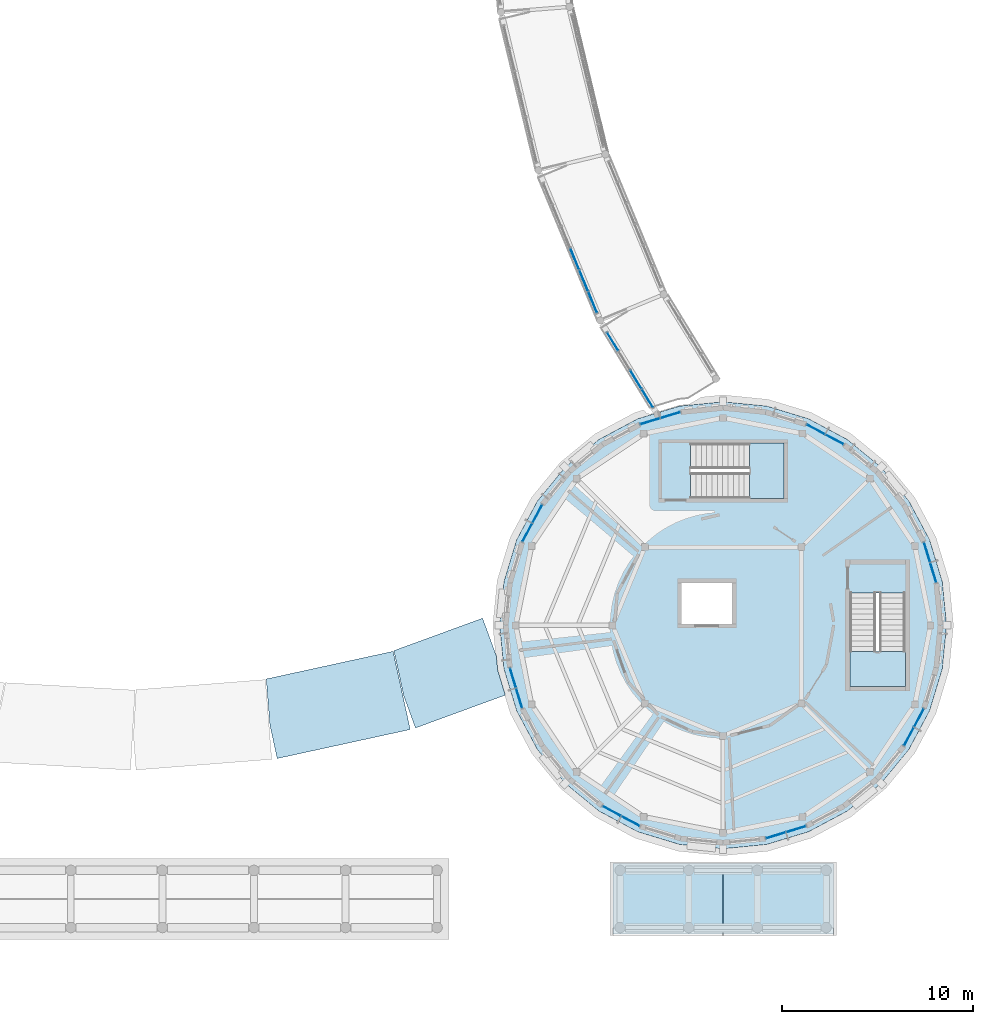
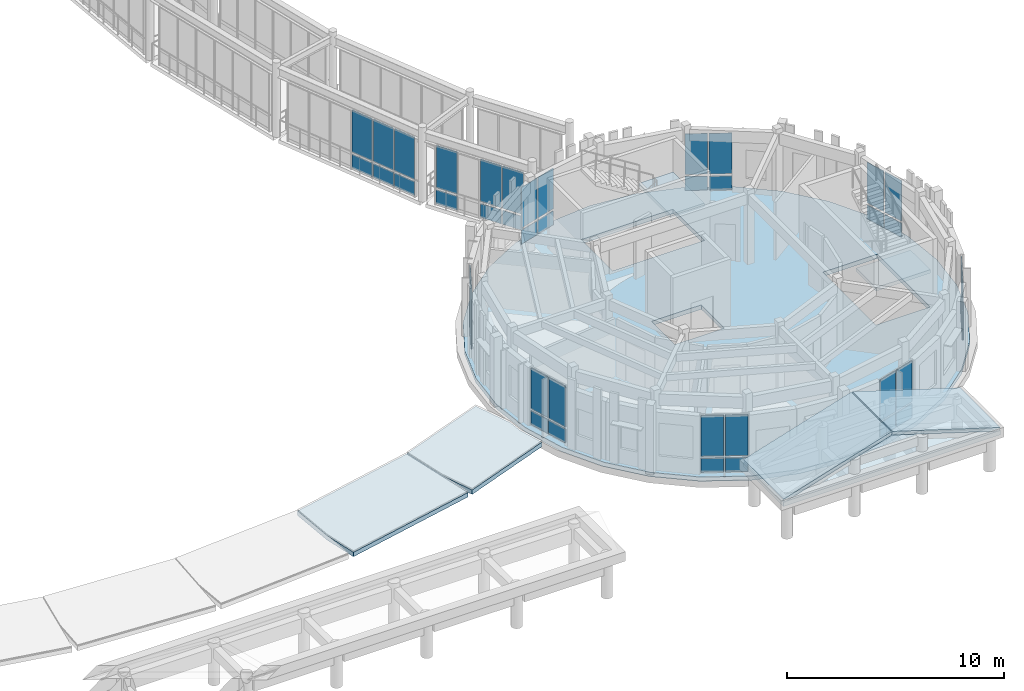
# One storey, part 38 of 80: 44 plates, 8 slabs, 12 elements without a shape of their own.
"""IFC4 building model written with IfcOpenShell, lengths in metres."""

from ifc_helpers import new_model, si_unit, direction, frame, origin, origin_2d, place, context, subcontext, project, spatial, polyline, rectangle, outline, extrude, material, layer, layer_set, type_object, element, aggregate, save


model = new_model("IFC4")

# Units and contexts
model_context = context("Model", 3, precision=1e-05, world=origin(), true_north=direction((0.0, 1.0)))
body_context = subcontext(model_context, "Body", "Model", "MODEL_VIEW")
ifc_project = project(units=[si_unit("LENGTHUNIT", "METRE"), si_unit("AREAUNIT", "SQUARE_METRE"), si_unit("VOLUMEUNIT", "CUBIC_METRE"), si_unit("PLANEANGLEUNIT", "RADIAN"), si_unit("MASSUNIT", "GRAM", prefix="KILO")], contexts=[model_context])

# Site, building, storey
site_placement = place(None, origin())
site = spatial("IfcSite", under=ifc_project, at=site_placement, CompositionType="ELEMENT")
building_placement = place(site_placement, origin())
building = spatial("IfcBuilding", under=site, at=building_placement, Name="Aldenvaro Health Centre", CompositionType="ELEMENT")
storey_placement = place(building_placement, frame((0.0, 0.0, 4.550048828125)))
storey = spatial("IfcBuildingStorey", under=building, at=storey_placement, Name="L01", CompositionType="ELEMENT", Elevation=4.550048828125)

# Curtain wall, plates
ifc_material_1 = material(Name="Anodised Aluminium 6063-T6", Category="aluminium")
ifc_layer_1 = layer(ifc_material_1, 0.195068359375, Name="Anodised Aluminium 6063-T6", Category="aluminium")
ifc_layer_set_1 = layer_set([ifc_layer_1], Name="Anodised Aluminium 6063-T6")
curtain_wall_type_1 = type_object("IfcCurtainWallType", Name="CW-CLN-02", PredefinedType="NOTDEFINED", material=ifc_layer_set_1)
curtain_wall_1_placement = place(storey_placement, origin())
curtain_wall_1 = element("IfcCurtainWall", 1, at=curtain_wall_1_placement, inside=storey, type_object=curtain_wall_type_1, Name="D6 L01 curtain wall bay 03", PredefinedType="NOTDEFINED")
ifc_material_2 = material(Name="Low-E Double Glazing IGU", Category="glass")
ifc_layer_2 = layer(ifc_material_2, 0.028076171875, Name="Low-E Double Glazing IGU", Category="glass")
ifc_layer_set_2 = layer_set([ifc_layer_2], Name="Low-E Double Glazing IGU")
plate_type_1 = type_object("IfcPlateType", Name="CWP-IGU-28", PredefinedType="CURTAIN_PANEL", material=ifc_layer_set_2)
plate_1_placement = place(storey_placement, frame((164.76904296875, 13.64404296875, 0.95947265625), z_axis=(0.0, 0.0, 1.0), x_axis=(-0.471215232797, -0.882018256263, 0.0)))
plate_1 = element("IfcPlate", 2, at=plate_1_placement, type_object=plate_type_1, Name="D6 L01 curtain wall bay 03 vision glazing 1", PredefinedType="CURTAIN_PANEL", context=body_context, shape_type="SweptSolid", body=[
    extrude(rectangle(XDim=1.047119140625, YDim=0.028076171875, at=origin_2d()), origin(), (0.0, 0.0, 1.0), 2.2890625),
])
plate_2_placement = place(storey_placement, frame((164.241943359375, 12.658935546875, 0.95947265625), z_axis=(0.0, 0.0, 1.0), x_axis=(-0.471215232797, -0.882018256263, 0.0)))
plate_2 = element("IfcPlate", 3, at=plate_2_placement, type_object=plate_type_1, Name="D6 L01 curtain wall bay 03 vision glazing 2", PredefinedType="CURTAIN_PANEL", context=body_context, shape_type="SweptSolid", body=[
    extrude(rectangle(XDim=1.047119140625, YDim=0.028076171875, at=origin_2d()), origin(), (0.0, 0.0, 1.0), 2.2890625),
])

curtain_wall_2_placement = place(storey_placement, origin())
curtain_wall_2 = element("IfcCurtainWall", 4, at=curtain_wall_2_placement, inside=storey, type_object=curtain_wall_type_1, Name="D6 L01 curtain wall bay 07", PredefinedType="NOTDEFINED")
plate_3_placement = place(storey_placement, frame((158.327880859375, 7.805908203125, 0.95947265625), z_axis=(0.0, 0.0, 1.0), x_axis=(-0.956922756407, -0.290342622208, 0.0)))
plate_3 = element("IfcPlate", 5, at=plate_3_placement, type_object=plate_type_1, Name="D6 L01 curtain wall bay 07 vision glazing 1", PredefinedType="CURTAIN_PANEL", context=body_context, shape_type="SweptSolid", body=[
    extrude(rectangle(XDim=1.048095703125, YDim=0.028076171875, at=origin_2d()), origin(), (0.0, 0.0, 1.0), 2.2890625),
])
plate_4_placement = place(storey_placement, frame((157.259033203125, 7.48095703125, 0.95947265625), z_axis=(0.0, 0.0, 1.0), x_axis=(-0.956922756407, -0.290342622208, 0.0)))
plate_4 = element("IfcPlate", 6, at=plate_4_placement, type_object=plate_type_1, Name="D6 L01 curtain wall bay 07 vision glazing 2", PredefinedType="CURTAIN_PANEL", context=body_context, shape_type="SweptSolid", body=[
    extrude(rectangle(XDim=1.048095703125, YDim=0.028076171875, at=origin_2d()), origin(), (0.0, 0.0, 1.0), 2.2890625),
])

curtain_wall_3_placement = place(storey_placement, origin())
curtain_wall_3 = element("IfcCurtainWall", 7, at=curtain_wall_3_placement, inside=storey, type_object=curtain_wall_type_1, Name="D6 L01 curtain wall bay 11", PredefinedType="NOTDEFINED")
plate_5_placement = place(storey_placement, frame((149.64404296875, 8.23095703125, 0.95947265625), z_axis=(0.0, 0.0, 1.0), x_axis=(-0.882018256263, 0.471215232797, 0.0)))
plate_5 = element("IfcPlate", 8, at=plate_5_placement, type_object=plate_type_1, Name="D6 L01 curtain wall bay 11 vision glazing 1", PredefinedType="CURTAIN_PANEL", context=body_context, shape_type="SweptSolid", body=[
    extrude(rectangle(XDim=1.047119140625, YDim=0.028076171875, at=origin_2d()), origin(), (0.0, 0.0, 1.0), 2.2890625),
])
plate_6_placement = place(storey_placement, frame((148.658935546875, 8.758056640625, 0.95947265625), z_axis=(0.0, 0.0, 1.0), x_axis=(-0.882018256263, 0.471215232797, 0.0)))
plate_6 = element("IfcPlate", 9, at=plate_6_placement, type_object=plate_type_1, Name="D6 L01 curtain wall bay 11 vision glazing 2", PredefinedType="CURTAIN_PANEL", context=body_context, shape_type="SweptSolid", body=[
    extrude(rectangle(XDim=1.047119140625, YDim=0.028076171875, at=origin_2d()), origin(), (0.0, 0.0, 1.0), 2.2890625),
])

curtain_wall_4_placement = place(storey_placement, origin())
curtain_wall_4 = element("IfcCurtainWall", 10, at=curtain_wall_4_placement, inside=storey, type_object=curtain_wall_type_1, Name="D6 L01 curtain wall bay 15", PredefinedType="NOTDEFINED")
plate_7_placement = place(storey_placement, frame((143.805908203125, 14.672119140625, 0.95947265625), z_axis=(0.0, 0.0, 1.0), x_axis=(-0.290342622208, 0.956922756407, 0.0)))
plate_7 = element("IfcPlate", 11, at=plate_7_placement, type_object=plate_type_1, Name="D6 L01 curtain wall bay 15 vision glazing 1", PredefinedType="CURTAIN_PANEL", context=body_context, shape_type="SweptSolid", body=[
    extrude(rectangle(XDim=1.048095703125, YDim=0.028076171875, at=origin_2d()), origin(), (0.0, 0.0, 1.0), 2.2890625),
])
plate_8_placement = place(storey_placement, frame((143.48095703125, 15.740966796875, 0.95947265625), z_axis=(0.0, 0.0, 1.0), x_axis=(-0.290342622208, 0.956922756407, 0.0)))
plate_8 = element("IfcPlate", 12, at=plate_8_placement, type_object=plate_type_1, Name="D6 L01 curtain wall bay 15 vision glazing 2", PredefinedType="CURTAIN_PANEL", context=body_context, shape_type="SweptSolid", body=[
    extrude(rectangle(XDim=1.048095703125, YDim=0.028076171875, at=origin_2d()), origin(), (0.0, 0.0, 1.0), 2.2890625),
])

curtain_wall_5_placement = place(storey_placement, origin())
curtain_wall_5 = element("IfcCurtainWall", 13, at=curtain_wall_5_placement, inside=storey, type_object=curtain_wall_type_1, Name="D6 L01 curtain wall bay 19", PredefinedType="NOTDEFINED")
plate_9_placement = place(storey_placement, frame((144.23095703125, 23.35595703125, 0.95947265625), z_axis=(0.0, 0.0, 1.0), x_axis=(0.471215232797, 0.882018256263, 0.0)))
plate_9 = element("IfcPlate", 14, at=plate_9_placement, type_object=plate_type_1, Name="D6 L01 curtain wall bay 19 vision glazing 1", PredefinedType="CURTAIN_PANEL", context=body_context, shape_type="SweptSolid", body=[
    extrude(rectangle(XDim=1.047119140625, YDim=0.028076171875, at=origin_2d()), origin(), (0.0, 0.0, 1.0), 2.2890625),
])
plate_10_placement = place(storey_placement, frame((144.758056640625, 24.341064453125, 0.95947265625), z_axis=(0.0, 0.0, 1.0), x_axis=(0.471215232797, 0.882018256263, 0.0)))
plate_10 = element("IfcPlate", 15, at=plate_10_placement, type_object=plate_type_1, Name="D6 L01 curtain wall bay 19 vision glazing 2", PredefinedType="CURTAIN_PANEL", context=body_context, shape_type="SweptSolid", body=[
    extrude(rectangle(XDim=1.047119140625, YDim=0.028076171875, at=origin_2d()), origin(), (0.0, 0.0, 1.0), 2.2890625),
])

curtain_wall_6_placement = place(storey_placement, origin())
curtain_wall_6 = element("IfcCurtainWall", 16, at=curtain_wall_6_placement, inside=storey, type_object=curtain_wall_type_1, Name="D6 L01 curtain wall bay 23", PredefinedType="NOTDEFINED")
plate_11_placement = place(storey_placement, frame((150.672119140625, 29.194091796875, 0.95947265625), z_axis=(0.0, 0.0, 1.0), x_axis=(0.956922756407, 0.290342622208, 0.0)))
plate_11 = element("IfcPlate", 17, at=plate_11_placement, type_object=plate_type_1, Name="D6 L01 curtain wall bay 23 vision glazing 1", PredefinedType="CURTAIN_PANEL", context=body_context, shape_type="SweptSolid", body=[
    extrude(rectangle(XDim=1.048095703125, YDim=0.028076171875, at=origin_2d()), origin(), (0.0, 0.0, 1.0), 2.2890625),
])
plate_12_placement = place(storey_placement, frame((151.740966796875, 29.51904296875, 0.95947265625), z_axis=(0.0, 0.0, 1.0), x_axis=(0.956922756407, 0.290342622208, 0.0)))
plate_12 = element("IfcPlate", 18, at=plate_12_placement, type_object=plate_type_1, Name="D6 L01 curtain wall bay 23 vision glazing 2", PredefinedType="CURTAIN_PANEL", context=body_context, shape_type="SweptSolid", body=[
    extrude(rectangle(XDim=1.048095703125, YDim=0.028076171875, at=origin_2d()), origin(), (0.0, 0.0, 1.0), 2.2890625),
])

curtain_wall_7_placement = place(storey_placement, origin())
curtain_wall_7 = element("IfcCurtainWall", 19, at=curtain_wall_7_placement, inside=storey, type_object=curtain_wall_type_1, Name="D6 L01 curtain wall bay 27", PredefinedType="NOTDEFINED")
plate_13_placement = place(storey_placement, frame((159.35595703125, 28.76904296875, 0.95947265625), z_axis=(0.0, 0.0, 1.0), x_axis=(0.882018256263, -0.471215232797, 0.0)))
plate_13 = element("IfcPlate", 20, at=plate_13_placement, type_object=plate_type_1, Name="D6 L01 curtain wall bay 27 vision glazing 1", PredefinedType="CURTAIN_PANEL", context=body_context, shape_type="SweptSolid", body=[
    extrude(rectangle(XDim=1.047119140625, YDim=0.028076171875, at=origin_2d()), origin(), (0.0, 0.0, 1.0), 2.2890625),
])
plate_14_placement = place(storey_placement, frame((160.341064453125, 28.241943359375, 0.95947265625), z_axis=(0.0, 0.0, 1.0), x_axis=(0.882018256263, -0.471215232797, 0.0)))
plate_14 = element("IfcPlate", 21, at=plate_14_placement, type_object=plate_type_1, Name="D6 L01 curtain wall bay 27 vision glazing 2", PredefinedType="CURTAIN_PANEL", context=body_context, shape_type="SweptSolid", body=[
    extrude(rectangle(XDim=1.047119140625, YDim=0.028076171875, at=origin_2d()), origin(), (0.0, 0.0, 1.0), 2.2890625),
])

curtain_wall_8_placement = place(storey_placement, origin())
curtain_wall_8 = element("IfcCurtainWall", 22, at=curtain_wall_8_placement, inside=storey, type_object=curtain_wall_type_1, Name="D6 L01 curtain wall bay 31", PredefinedType="NOTDEFINED")
plate_15_placement = place(storey_placement, frame((165.194091796875, 22.327880859375, 0.95947265625), z_axis=(0.0, 0.0, 1.0), x_axis=(0.290342622208, -0.956922756407, 0.0)))
plate_15 = element("IfcPlate", 23, at=plate_15_placement, type_object=plate_type_1, Name="D6 L01 curtain wall bay 31 vision glazing 1", PredefinedType="CURTAIN_PANEL", context=body_context, shape_type="SweptSolid", body=[
    extrude(rectangle(XDim=1.048095703125, YDim=0.028076171875, at=origin_2d()), origin(), (0.0, 0.0, 1.0), 2.2890625),
])
plate_16_placement = place(storey_placement, frame((165.51904296875, 21.259033203125, 0.95947265625), z_axis=(0.0, 0.0, 1.0), x_axis=(0.290342622208, -0.956922756407, 0.0)))
plate_16 = element("IfcPlate", 24, at=plate_16_placement, type_object=plate_type_1, Name="D6 L01 curtain wall bay 31 vision glazing 2", PredefinedType="CURTAIN_PANEL", context=body_context, shape_type="SweptSolid", body=[
    extrude(rectangle(XDim=1.048095703125, YDim=0.028076171875, at=origin_2d()), origin(), (0.0, 0.0, 1.0), 2.2890625),
])

ifc_layer_3 = layer(ifc_material_1, 0.2099609375, Name="Anodised Aluminium 6063-T6", Category="aluminium")
ifc_layer_set_3 = layer_set([ifc_layer_3], Name="Anodised Aluminium 6063-T6")
curtain_wall_type_2 = type_object("IfcCurtainWallType", Name="CW-BRG-03", PredefinedType="NOTDEFINED", material=ifc_layer_set_3)
curtain_wall_9_placement = place(storey_placement, origin())
curtain_wall_9 = element("IfcCurtainWall", 25, at=curtain_wall_9_placement, inside=storey, type_object=curtain_wall_type_2, Name="East Curved Garden Colonnade Arc 7 L01 glazed link wall R-1.1", PredefinedType="NOTDEFINED")
plate_17_placement = place(storey_placement, frame((146.718994140625, 37.7119140625, 0.9599609375), z_axis=(0.0, 0.0, 1.0), x_axis=(0.382503002228, -0.923954248481, 0.0)))
plate_17 = element("IfcPlate", 26, at=plate_17_placement, type_object=plate_type_1, Name="East Curved Garden Colonnade Arc 7 L01 glazed link wall R-1.1 vision glazing 4", PredefinedType="CURTAIN_PANEL", context=body_context, shape_type="SweptSolid", body=[
    extrude(rectangle(XDim=1.1630859375, YDim=0.028076171875, at=origin_2d()), origin(), (0.0, 0.0, 1.0), 2.389892578125),
])
plate_18_placement = place(storey_placement, frame((147.18994140625, 36.572998046875, 0.9599609375), z_axis=(0.0, 0.0, 1.0), x_axis=(0.382503002228, -0.923954248481, 0.0)))
plate_18 = element("IfcPlate", 27, at=plate_18_placement, type_object=plate_type_1, Name="East Curved Garden Colonnade Arc 7 L01 glazed link wall R-1.1 vision glazing 5", PredefinedType="CURTAIN_PANEL", context=body_context, shape_type="SweptSolid", body=[
    extrude(rectangle(XDim=1.1630859375, YDim=0.028076171875, at=origin_2d()), origin(), (0.0, 0.0, 1.0), 2.389892578125),
])
plate_19_placement = place(storey_placement, frame((147.662109375, 35.43408203125, 0.9599609375), z_axis=(0.0, 0.0, 1.0), x_axis=(0.382503002228, -0.923954248481, 0.0)))
plate_19 = element("IfcPlate", 28, at=plate_19_placement, type_object=plate_type_1, Name="East Curved Garden Colonnade Arc 7 L01 glazed link wall R-1.1 vision glazing 6", PredefinedType="CURTAIN_PANEL", context=body_context, shape_type="SweptSolid", body=[
    extrude(rectangle(XDim=1.1630859375, YDim=0.028076171875, at=origin_2d()), origin(), (0.0, 0.0, 1.0), 2.389892578125),
])

curtain_wall_10_placement = place(storey_placement, origin())
curtain_wall_10 = element("IfcCurtainWall", 29, at=curtain_wall_10_placement, inside=storey, type_object=curtain_wall_type_2, Name="East Curved Garden Colonnade Arc 8 L01 glazed link wall R-1.1", PredefinedType="NOTDEFINED")
plate_20_placement = place(storey_placement, frame((148.7109375, 33.3701171875, 0.9599609375), z_axis=(0.0, 0.0, 1.0), x_axis=(0.522476308425, -0.852653802627, 0.0)))
plate_20 = element("IfcPlate", 30, at=plate_20_placement, type_object=plate_type_1, Name="East Curved Garden Colonnade Arc 8 L01 glazed link wall R-1.1 vision glazing 1", PredefinedType="CURTAIN_PANEL", context=body_context, shape_type="SweptSolid", body=[
    extrude(rectangle(XDim=1.092041015625, YDim=0.028076171875, at=origin_2d()), origin(), (0.0, 0.0, 1.0), 2.389892578125),
])
plate_21_placement = place(storey_placement, frame((149.925048828125, 31.388916015625, 0.9599609375), z_axis=(0.0, 0.0, 1.0), x_axis=(0.522476308425, -0.852653802627, 0.0)))
plate_21 = element("IfcPlate", 31, at=plate_21_placement, type_object=plate_type_1, Name="East Curved Garden Colonnade Arc 8 L01 glazed link wall R-1.1 vision glazing 3", PredefinedType="CURTAIN_PANEL", context=body_context, shape_type="SweptSolid", body=[
    extrude(rectangle(XDim=1.092041015625, YDim=0.028076171875, at=origin_2d()), origin(), (0.0, 0.0, 1.0), 2.389892578125),
])
plate_22_placement = place(storey_placement, frame((150.531982421875, 30.39794921875, 0.9599609375), z_axis=(0.0, 0.0, 1.0), x_axis=(0.522476308425, -0.852653802627, 0.0)))
plate_22 = element("IfcPlate", 32, at=plate_22_placement, type_object=plate_type_1, Name="East Curved Garden Colonnade Arc 8 L01 glazed link wall R-1.1 vision glazing 4", PredefinedType="CURTAIN_PANEL", context=body_context, shape_type="SweptSolid", body=[
    extrude(rectangle(XDim=1.092041015625, YDim=0.028076171875, at=origin_2d()), origin(), (0.0, 0.0, 1.0), 2.389892578125),
])

# Plate
ifc_material_3 = material(Name="Insulated Aluminium Spandrel", Category="aluminium")
ifc_layer_4 = layer(ifc_material_3, 0.035888671875, Name="Insulated Aluminium Spandrel", Category="aluminium")
ifc_layer_set_4 = layer_set([ifc_layer_4], Name="Insulated Aluminium Spandrel")
plate_type_2 = type_object("IfcPlateType", Name="CWP-SPN-36", PredefinedType="CURTAIN_PANEL", material=ifc_layer_set_4)
plate_23_placement = place(storey_placement, frame((164.76904296875, 13.64404296875, 0.06005859375), z_axis=(0.0, 0.0, 1.0), x_axis=(-0.471215232797, -0.882018256263, 0.0)))
plate_23 = element("IfcPlate", 33, at=plate_23_placement, type_object=plate_type_2, Name="D6 L01 curtain wall bay 03 spandrel panel 1", PredefinedType="CURTAIN_PANEL", context=body_context, shape_type="SweptSolid", body=[
    extrude(rectangle(XDim=1.047119140625, YDim=0.035888671875, at=origin_2d()), origin(), (0.0, 0.0, 1.0), 0.780029296875),
])

plate_24_placement = place(storey_placement, frame((164.241943359375, 12.658935546875, 0.06005859375), z_axis=(0.0, 0.0, 1.0), x_axis=(-0.471215232797, -0.882018256263, 0.0)))
plate_24 = element("IfcPlate", 34, at=plate_24_placement, type_object=plate_type_2, Name="D6 L01 curtain wall bay 03 spandrel panel 2", PredefinedType="CURTAIN_PANEL", context=body_context, shape_type="SweptSolid", body=[
    extrude(rectangle(XDim=1.047119140625, YDim=0.035888671875, at=origin_2d()), origin(), (0.0, 0.0, 1.0), 0.780029296875),
])

aggregate(curtain_wall_1, [plate_23, plate_1, plate_24, plate_2])

plate_25_placement = place(storey_placement, frame((158.327880859375, 7.805908203125, 0.06005859375), z_axis=(0.0, 0.0, 1.0), x_axis=(-0.956922756407, -0.290342622208, 0.0)))
plate_25 = element("IfcPlate", 35, at=plate_25_placement, type_object=plate_type_2, Name="D6 L01 curtain wall bay 07 spandrel panel 1", PredefinedType="CURTAIN_PANEL", context=body_context, shape_type="SweptSolid", body=[
    extrude(rectangle(XDim=1.048095703125, YDim=0.035888671875, at=origin_2d()), origin(), (0.0, 0.0, 1.0), 0.780029296875),
])

plate_26_placement = place(storey_placement, frame((157.259033203125, 7.48095703125, 0.06005859375), z_axis=(0.0, 0.0, 1.0), x_axis=(-0.956922756407, -0.290342622208, 0.0)))
plate_26 = element("IfcPlate", 36, at=plate_26_placement, type_object=plate_type_2, Name="D6 L01 curtain wall bay 07 spandrel panel 2", PredefinedType="CURTAIN_PANEL", context=body_context, shape_type="SweptSolid", body=[
    extrude(rectangle(XDim=1.048095703125, YDim=0.035888671875, at=origin_2d()), origin(), (0.0, 0.0, 1.0), 0.780029296875),
])

aggregate(curtain_wall_2, [plate_25, plate_3, plate_26, plate_4])

plate_27_placement = place(storey_placement, frame((149.64404296875, 8.23095703125, 0.06005859375), z_axis=(0.0, 0.0, 1.0), x_axis=(-0.882018256263, 0.471215232797, 0.0)))
plate_27 = element("IfcPlate", 37, at=plate_27_placement, type_object=plate_type_2, Name="D6 L01 curtain wall bay 11 spandrel panel 1", PredefinedType="CURTAIN_PANEL", context=body_context, shape_type="SweptSolid", body=[
    extrude(rectangle(XDim=1.047119140625, YDim=0.035888671875, at=origin_2d()), origin(), (0.0, 0.0, 1.0), 0.780029296875),
])

plate_28_placement = place(storey_placement, frame((148.658935546875, 8.758056640625, 0.06005859375), z_axis=(0.0, 0.0, 1.0), x_axis=(-0.882018256263, 0.471215232797, 0.0)))
plate_28 = element("IfcPlate", 38, at=plate_28_placement, type_object=plate_type_2, Name="D6 L01 curtain wall bay 11 spandrel panel 2", PredefinedType="CURTAIN_PANEL", context=body_context, shape_type="SweptSolid", body=[
    extrude(rectangle(XDim=1.047119140625, YDim=0.035888671875, at=origin_2d()), origin(), (0.0, 0.0, 1.0), 0.780029296875),
])

aggregate(curtain_wall_3, [plate_27, plate_5, plate_28, plate_6])

plate_29_placement = place(storey_placement, frame((143.805908203125, 14.672119140625, 0.06005859375), z_axis=(0.0, 0.0, 1.0), x_axis=(-0.290342622208, 0.956922756407, 0.0)))
plate_29 = element("IfcPlate", 39, at=plate_29_placement, type_object=plate_type_2, Name="D6 L01 curtain wall bay 15 spandrel panel 1", PredefinedType="CURTAIN_PANEL", context=body_context, shape_type="SweptSolid", body=[
    extrude(rectangle(XDim=1.048095703125, YDim=0.035888671875, at=origin_2d()), origin(), (0.0, 0.0, 1.0), 0.780029296875),
])

plate_30_placement = place(storey_placement, frame((143.48095703125, 15.740966796875, 0.06005859375), z_axis=(0.0, 0.0, 1.0), x_axis=(-0.290342622208, 0.956922756407, 0.0)))
plate_30 = element("IfcPlate", 40, at=plate_30_placement, type_object=plate_type_2, Name="D6 L01 curtain wall bay 15 spandrel panel 2", PredefinedType="CURTAIN_PANEL", context=body_context, shape_type="SweptSolid", body=[
    extrude(rectangle(XDim=1.048095703125, YDim=0.035888671875, at=origin_2d()), origin(), (0.0, 0.0, 1.0), 0.780029296875),
])

aggregate(curtain_wall_4, [plate_29, plate_7, plate_30, plate_8])

plate_31_placement = place(storey_placement, frame((144.23095703125, 23.35595703125, 0.06005859375), z_axis=(0.0, 0.0, 1.0), x_axis=(0.471215232797, 0.882018256263, 0.0)))
plate_31 = element("IfcPlate", 41, at=plate_31_placement, type_object=plate_type_2, Name="D6 L01 curtain wall bay 19 spandrel panel 1", PredefinedType="CURTAIN_PANEL", context=body_context, shape_type="SweptSolid", body=[
    extrude(rectangle(XDim=1.047119140625, YDim=0.035888671875, at=origin_2d()), origin(), (0.0, 0.0, 1.0), 0.780029296875),
])

plate_32_placement = place(storey_placement, frame((144.758056640625, 24.341064453125, 0.06005859375), z_axis=(0.0, 0.0, 1.0), x_axis=(0.471215232797, 0.882018256263, 0.0)))
plate_32 = element("IfcPlate", 42, at=plate_32_placement, type_object=plate_type_2, Name="D6 L01 curtain wall bay 19 spandrel panel 2", PredefinedType="CURTAIN_PANEL", context=body_context, shape_type="SweptSolid", body=[
    extrude(rectangle(XDim=1.047119140625, YDim=0.035888671875, at=origin_2d()), origin(), (0.0, 0.0, 1.0), 0.780029296875),
])

aggregate(curtain_wall_5, [plate_31, plate_9, plate_32, plate_10])

plate_33_placement = place(storey_placement, frame((150.672119140625, 29.194091796875, 0.06005859375), z_axis=(0.0, 0.0, 1.0), x_axis=(0.956922756407, 0.290342622208, 0.0)))
plate_33 = element("IfcPlate", 43, at=plate_33_placement, type_object=plate_type_2, Name="D6 L01 curtain wall bay 23 spandrel panel 1", PredefinedType="CURTAIN_PANEL", context=body_context, shape_type="SweptSolid", body=[
    extrude(rectangle(XDim=1.048095703125, YDim=0.035888671875, at=origin_2d()), origin(), (0.0, 0.0, 1.0), 0.780029296875),
])

plate_34_placement = place(storey_placement, frame((151.740966796875, 29.51904296875, 0.06005859375), z_axis=(0.0, 0.0, 1.0), x_axis=(0.956922756407, 0.290342622208, 0.0)))
plate_34 = element("IfcPlate", 44, at=plate_34_placement, type_object=plate_type_2, Name="D6 L01 curtain wall bay 23 spandrel panel 2", PredefinedType="CURTAIN_PANEL", context=body_context, shape_type="SweptSolid", body=[
    extrude(rectangle(XDim=1.048095703125, YDim=0.035888671875, at=origin_2d()), origin(), (0.0, 0.0, 1.0), 0.780029296875),
])

aggregate(curtain_wall_6, [plate_33, plate_11, plate_34, plate_12])

plate_35_placement = place(storey_placement, frame((159.35595703125, 28.76904296875, 0.06005859375), z_axis=(0.0, 0.0, 1.0), x_axis=(0.882018256263, -0.471215232797, 0.0)))
plate_35 = element("IfcPlate", 45, at=plate_35_placement, type_object=plate_type_2, Name="D6 L01 curtain wall bay 27 spandrel panel 1", PredefinedType="CURTAIN_PANEL", context=body_context, shape_type="SweptSolid", body=[
    extrude(rectangle(XDim=1.047119140625, YDim=0.035888671875, at=origin_2d()), origin(), (0.0, 0.0, 1.0), 0.780029296875),
])

plate_36_placement = place(storey_placement, frame((160.341064453125, 28.241943359375, 0.06005859375), z_axis=(0.0, 0.0, 1.0), x_axis=(0.882018256263, -0.471215232797, 0.0)))
plate_36 = element("IfcPlate", 46, at=plate_36_placement, type_object=plate_type_2, Name="D6 L01 curtain wall bay 27 spandrel panel 2", PredefinedType="CURTAIN_PANEL", context=body_context, shape_type="SweptSolid", body=[
    extrude(rectangle(XDim=1.047119140625, YDim=0.035888671875, at=origin_2d()), origin(), (0.0, 0.0, 1.0), 0.780029296875),
])

aggregate(curtain_wall_7, [plate_35, plate_13, plate_36, plate_14])

plate_37_placement = place(storey_placement, frame((165.194091796875, 22.327880859375, 0.06005859375), z_axis=(0.0, 0.0, 1.0), x_axis=(0.290342622208, -0.956922756407, 0.0)))
plate_37 = element("IfcPlate", 47, at=plate_37_placement, type_object=plate_type_2, Name="D6 L01 curtain wall bay 31 spandrel panel 1", PredefinedType="CURTAIN_PANEL", context=body_context, shape_type="SweptSolid", body=[
    extrude(rectangle(XDim=1.048095703125, YDim=0.035888671875, at=origin_2d()), origin(), (0.0, 0.0, 1.0), 0.780029296875),
])

plate_38_placement = place(storey_placement, frame((165.51904296875, 21.259033203125, 0.06005859375), z_axis=(0.0, 0.0, 1.0), x_axis=(0.290342622208, -0.956922756407, 0.0)))
plate_38 = element("IfcPlate", 48, at=plate_38_placement, type_object=plate_type_2, Name="D6 L01 curtain wall bay 31 spandrel panel 2", PredefinedType="CURTAIN_PANEL", context=body_context, shape_type="SweptSolid", body=[
    extrude(rectangle(XDim=1.048095703125, YDim=0.035888671875, at=origin_2d()), origin(), (0.0, 0.0, 1.0), 0.780029296875),
])

aggregate(curtain_wall_8, [plate_37, plate_15, plate_38, plate_16])

plate_39_placement = place(storey_placement, frame((146.718994140625, 37.7119140625, 0.06005859375), z_axis=(0.0, 0.0, 1.0), x_axis=(0.382503002228, -0.923954248481, 0.0)))
plate_39 = element("IfcPlate", 49, at=plate_39_placement, type_object=plate_type_2, Name="East Curved Garden Colonnade Arc 7 L01 glazed link wall R-1.1 spandrel panel 4", PredefinedType="CURTAIN_PANEL", context=body_context, shape_type="SweptSolid", body=[
    extrude(rectangle(XDim=1.1630859375, YDim=0.035888671875, at=origin_2d()), origin(), (0.0, 0.0, 1.0), 0.780029296875),
])

plate_40_placement = place(storey_placement, frame((147.18994140625, 36.572998046875, 0.06005859375), z_axis=(0.0, 0.0, 1.0), x_axis=(0.382503002228, -0.923954248481, 0.0)))
plate_40 = element("IfcPlate", 50, at=plate_40_placement, type_object=plate_type_2, Name="East Curved Garden Colonnade Arc 7 L01 glazed link wall R-1.1 spandrel panel 5", PredefinedType="CURTAIN_PANEL", context=body_context, shape_type="SweptSolid", body=[
    extrude(rectangle(XDim=1.1630859375, YDim=0.035888671875, at=origin_2d()), origin(), (0.0, 0.0, 1.0), 0.780029296875),
])

plate_41_placement = place(storey_placement, frame((147.662109375, 35.43408203125, 0.06005859375), z_axis=(0.0, 0.0, 1.0), x_axis=(0.382503002228, -0.923954248481, 0.0)))
plate_41 = element("IfcPlate", 51, at=plate_41_placement, type_object=plate_type_2, Name="East Curved Garden Colonnade Arc 7 L01 glazed link wall R-1.1 spandrel panel 6", PredefinedType="CURTAIN_PANEL", context=body_context, shape_type="SweptSolid", body=[
    extrude(rectangle(XDim=1.1630859375, YDim=0.035888671875, at=origin_2d()), origin(), (0.0, 0.0, 1.0), 0.780029296875),
])

aggregate(curtain_wall_9, [plate_39, plate_17, plate_40, plate_18, plate_41, plate_19])

plate_42_placement = place(storey_placement, frame((148.7109375, 33.3701171875, 0.06005859375), z_axis=(0.0, 0.0, 1.0), x_axis=(0.522476308425, -0.852653802627, 0.0)))
plate_42 = element("IfcPlate", 52, at=plate_42_placement, type_object=plate_type_2, Name="East Curved Garden Colonnade Arc 8 L01 glazed link wall R-1.1 spandrel panel 1", PredefinedType="CURTAIN_PANEL", context=body_context, shape_type="SweptSolid", body=[
    extrude(rectangle(XDim=1.092041015625, YDim=0.035888671875, at=origin_2d()), origin(), (0.0, 0.0, 1.0), 0.780029296875),
])

plate_43_placement = place(storey_placement, frame((149.925048828125, 31.388916015625, 0.06005859375), z_axis=(0.0, 0.0, 1.0), x_axis=(0.522476308425, -0.852653802627, 0.0)))
plate_43 = element("IfcPlate", 53, at=plate_43_placement, type_object=plate_type_2, Name="East Curved Garden Colonnade Arc 8 L01 glazed link wall R-1.1 spandrel panel 3", PredefinedType="CURTAIN_PANEL", context=body_context, shape_type="SweptSolid", body=[
    extrude(rectangle(XDim=1.092041015625, YDim=0.035888671875, at=origin_2d()), origin(), (0.0, 0.0, 1.0), 0.780029296875),
])

plate_44_placement = place(storey_placement, frame((150.531982421875, 30.39794921875, 0.06005859375), z_axis=(0.0, 0.0, 1.0), x_axis=(0.522476308425, -0.852653802627, 0.0)))
plate_44 = element("IfcPlate", 54, at=plate_44_placement, type_object=plate_type_2, Name="East Curved Garden Colonnade Arc 8 L01 glazed link wall R-1.1 spandrel panel 4", PredefinedType="CURTAIN_PANEL", context=body_context, shape_type="SweptSolid", body=[
    extrude(rectangle(XDim=1.092041015625, YDim=0.035888671875, at=origin_2d()), origin(), (0.0, 0.0, 1.0), 0.780029296875),
])

aggregate(curtain_wall_10, [plate_42, plate_20, plate_43, plate_21, plate_44, plate_22])

# Slab
ifc_material_4 = material(Name="Cross-laminated timber CLT E1", Category="wood")
ifc_layer_5 = layer(ifc_material_4, 0.2451171875, Name="Cross-laminated timber CLT E1", Category="wood")
ifc_layer_set_5 = layer_set([ifc_layer_5], Name="Cross-laminated timber CLT E1")
slab_type_1 = type_object("IfcSlabType", Name="SLB-CLT-245", PredefinedType="FLOOR", material=ifc_layer_set_5)
slab_1_placement = place(storey_placement, frame((0.0, 0.0, -0.2451171875)))
element("IfcSlab", 55, at=slab_1_placement, inside=storey, type_object=slab_type_1, Name="D6 L01 floor slab", PredefinedType="FLOOR", context=body_context, shape_type="SweptSolid", body=[
    extrude(outline(polyline([(166.219970703125, 18.5), (165.9951171875, 20.785888671875), (165.327880859375, 22.985107421875), (164.2451171875, 25.010986328125), (162.787109375, 26.787109375), (161.010986328125, 28.2451171875), (158.985107421875, 29.327880859375), (156.785888671875, 29.9951171875), (154.5, 30.219970703125), (152.214111328125, 29.9951171875), (150.014892578125, 29.327880859375), (147.989013671875, 28.2451171875), (146.212890625, 26.787109375), (144.7548828125, 25.010986328125), (143.672119140625, 22.985107421875), (143.0048828125, 20.785888671875), (142.780029296875, 18.5), (143.0048828125, 16.214111328125), (143.672119140625, 14.014892578125), (144.7548828125, 11.989013671875), (146.212890625, 10.212890625), (147.989013671875, 8.7548828125), (150.014892578125, 7.672119140625), (152.214111328125, 7.0048828125), (154.5, 6.780029296875), (156.785888671875, 7.0048828125), (158.985107421875, 7.672119140625), (161.010986328125, 8.7548828125), (162.787109375, 10.212890625), (164.2451171875, 11.989013671875), (165.327880859375, 14.014892578125), (165.9951171875, 16.214111328125), (166.219970703125, 18.5)]), holes=[polyline([(161.14990234375, 20.199951171875), (161.14990234375, 15.300048828125), (164.050048828125, 15.300048828125), (164.050048828125, 20.199951171875), (161.14990234375, 20.199951171875)]), polyline([(152.800048828125, 25.14990234375), (157.699951171875, 25.14990234375), (157.699951171875, 28.050048828125), (152.800048828125, 28.050048828125), (152.800048828125, 25.14990234375)]), polyline([(152.324951171875, 18.574951171875), (154.97509765625, 18.574951171875), (154.97509765625, 20.72509765625), (152.324951171875, 20.72509765625), (152.324951171875, 18.574951171875)])]), origin(), (0.0, 0.0, 1.0), 0.2451171875),
])

# Stair, slab
ifc_material_5 = material(Name="Concrete f'c 40 MPa", Category="concrete")
stair_type = type_object("IfcStairType", Name="STR-DOG-420", PredefinedType="HALF_TURN_STAIR", material=ifc_material_5)
stair_1_placement = place(storey_placement, origin())
stair_1 = element("IfcStair", 56, at=stair_1_placement, inside=storey, type_object=stair_type, Name="L01 Exit Stair ST-11", PredefinedType="HALF_TURN_STAIR")
ifc_layer_6 = layer(ifc_material_5, 0.199951171875, Name="Concrete f'c 40 MPa", Category="concrete")
ifc_layer_set_6 = layer_set([ifc_layer_6], Name="Concrete f'c 40 MPa")
slab_type_2 = type_object("IfcSlabType", Name="SLB-LND-200", PredefinedType="LANDING", material=ifc_layer_set_6)
slab_2_placement = place(storey_placement, frame((0.0, 0.0, 1.89990234375)))
slab_2 = element("IfcSlab", 57, at=slab_2_placement, type_object=slab_type_2, Name="ST-11 landing 1", PredefinedType="LANDING", context=body_context, shape_type="SweptSolid", body=[
    extrude(outline(polyline([(161.14990234375, 17.1201171875), (161.14990234375, 15.300048828125), (164.050048828125, 15.300048828125), (164.050048828125, 17.1201171875), (161.14990234375, 17.1201171875)])), origin(), (0.0, 0.0, 1.0), 0.199951171875),
])
aggregate(stair_1, [slab_2])

stair_2_placement = place(storey_placement, origin())
stair_2 = element("IfcStair", 58, at=stair_2_placement, inside=storey, type_object=stair_type, Name="L01 Exit Stair ST-12", PredefinedType="HALF_TURN_STAIR")
slab_3_placement = place(storey_placement, frame((0.0, 0.0, 1.89990234375)))
slab_3 = element("IfcSlab", 59, at=slab_3_placement, type_object=slab_type_2, Name="ST-12 landing 1", PredefinedType="LANDING", context=body_context, shape_type="SweptSolid", body=[
    extrude(outline(polyline([(155.8798828125, 25.14990234375), (157.699951171875, 25.14990234375), (157.699951171875, 28.050048828125), (155.8798828125, 28.050048828125), (155.8798828125, 25.14990234375)])), origin(), (0.0, 0.0, 1.0), 0.199951171875),
])
aggregate(stair_2, [slab_3])

# Slabs
ifc_layer_7 = layer(ifc_material_4, 0.195068359375, Name="Cross-laminated timber CLT E1", Category="wood")
ifc_layer_set_7 = layer_set([ifc_layer_7], Name="Cross-laminated timber CLT E1")
slab_type_3 = type_object("IfcSlabType", Name="SLB-ROOF-195", PredefinedType="ROOF", material=ifc_layer_set_7)
for number, where, z_axis, x_axis, name in (
    (60, (148.719970703125, 2.300048828125, 2.409912109375), (-0.297240682512, 0.0, 0.954802585177), (0.954802585177, 0.0, 0.297240682512), "Pavilion Portico E6 Pediment Deck W"),
    (61, (154.530029296875, 2.300048828125, 4.199951171875), (0.297240682512, 0.0, 0.954802585177), (0.954802585177, 0.0, -0.297240682512), "Pavilion Portico E6 Pediment Deck E"),
):
    element("IfcSlab", number, at=place(storey_placement, frame(where, z_axis=z_axis, x_axis=x_axis)), inside=storey, type_object=slab_type_3, Name=name, PredefinedType="ROOF", context=body_context, shape_type="SweptSolid", body=[
        extrude(outline(polyline([(0.0, 0.0), (6.022187297425734, 0.0), (6.022187297425734, 3.6999511718749996), (0.0, 3.6999511718749996), (0.0, 0.0)])), origin(), (0.0, 0.0, -1.0), 0.195068359375),
    ])
ifc_layer_8 = layer(ifc_material_5, 0.25, Name="Concrete f'c 40 MPa", Category="concrete")
ifc_layer_set_8 = layer_set([ifc_layer_8], Name="Concrete f'c 40 MPa")
slab_type_4 = type_object("IfcSlabType", Name="SLB-ROOF-250", PredefinedType="ROOF", material=ifc_layer_set_8)
slab_4_placement = place(storey_placement, frame((0.0, 0.0, -0.25)))
element("IfcSlab", 62, at=slab_4_placement, inside=storey, type_object=slab_type_4, Name="South East Curved Peristyle Walkway Arc 4 roof slab", PredefinedType="ROOF", context=body_context, shape_type="SweptSolid", body=[
    extrude(outline(polyline([(137.198974609375, 17.136962890625), (138.094970703125, 13.032958984375), (131.116943359375, 11.510986328125), (130.73193359375, 13.27490234375), (130.5419921875, 15.68505859375), (137.198974609375, 17.136962890625)])), origin(), (0.0, 0.0, 1.0), 0.25),
])
slab_5_placement = place(storey_placement, frame((0.0, 0.0, -0.25)))
element("IfcSlab", 63, at=slab_5_placement, inside=storey, type_object=slab_type_4, Name="South East Curved Peristyle Walkway Arc 5 roof slab", PredefinedType="ROOF", context=body_context, shape_type="SweptSolid", body=[
    extrude(outline(polyline([(138.368896484375, 13.113037109375), (137.7490234375, 14.80810546875), (137.23291015625, 17.169921875), (141.885986328125, 18.8720703125), (142.60791015625, 16.89990234375), (142.681884765625, 16.14892578125), (143.080078125, 14.8369140625), (138.368896484375, 13.113037109375)])), origin(), (0.0, 0.0, 1.0), 0.25),
])
slab_6_placement = place(storey_placement, frame((0.0, 0.0, 2.0)))
element("IfcSlab", 64, at=slab_6_placement, inside=storey, type_object=slab_type_4, Name="Pavilion Tetrastyle Portico E6 Cornice Deck", PredefinedType="ROOF", context=body_context, shape_type="SweptSolid", body=[
    extrude(outline(polyline([(148.719970703125, 2.300048828125), (160.280029296875, 2.300048828125), (160.280029296875, 6.0), (148.719970703125, 6.0), (148.719970703125, 2.300048828125)])), origin(), (0.0, 0.0, 1.0), 0.25),
])

save(model, "model.ifc")
